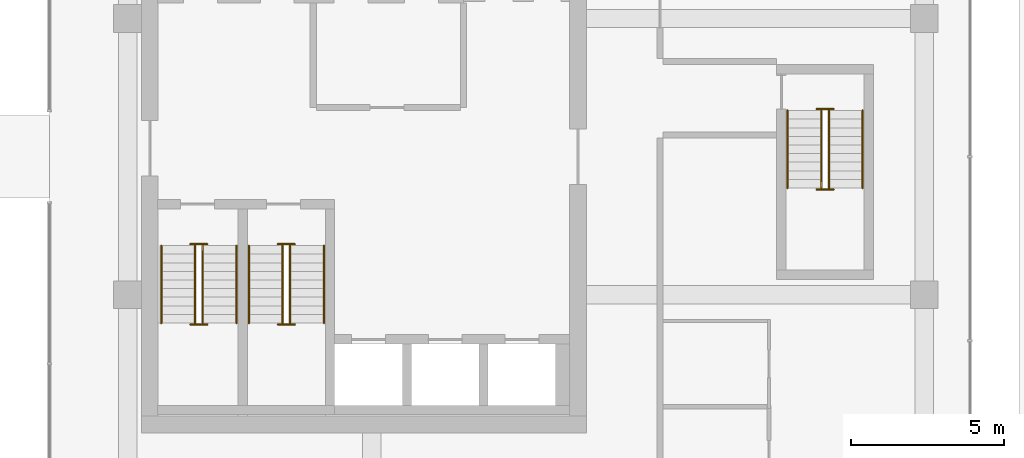
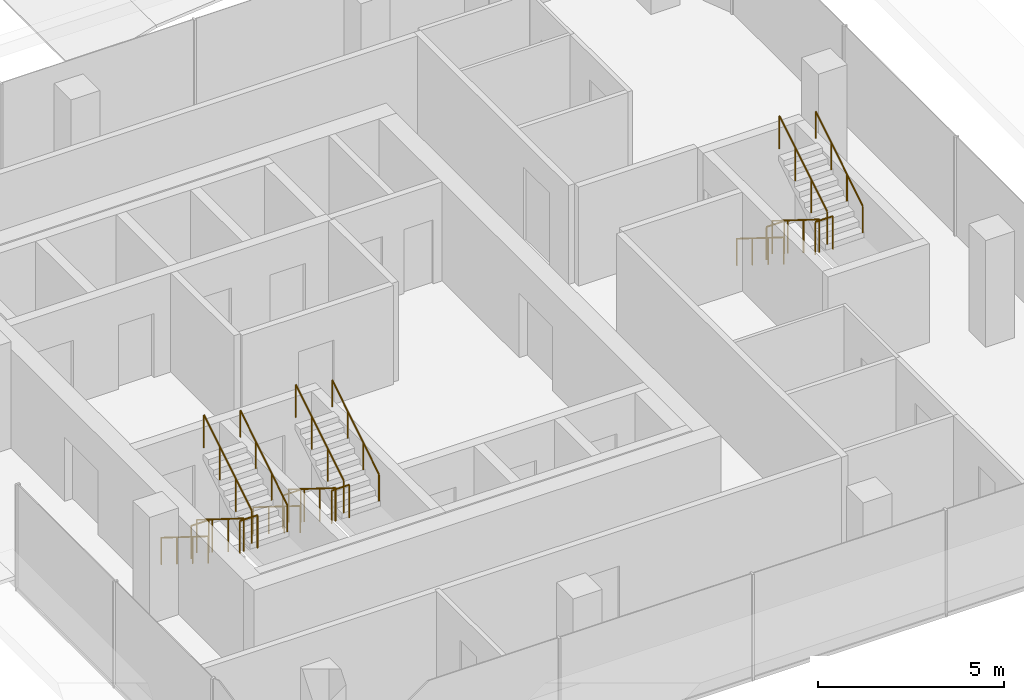
# One storey, part 24 of 24: 18 railings.
"""IFC4 building model written with IfcOpenShell, lengths in metres."""

from ifc_helpers import new_model, si_unit, direction, frame, origin, origin_2d, place, context, subcontext, project, spatial, circle, extrude, material, type_object, element, save


model = new_model("IFC4")

# Units and contexts
model_context = context("Model", 3, precision=1e-05, world=origin(), true_north=direction((0.0, 1.0)))
body_context = subcontext(model_context, "Body", "Model", "MODEL_VIEW")
ifc_project = project(units=[si_unit("LENGTHUNIT", "METRE"), si_unit("AREAUNIT", "SQUARE_METRE"), si_unit("VOLUMEUNIT", "CUBIC_METRE"), si_unit("PLANEANGLEUNIT", "RADIAN"), si_unit("MASSUNIT", "GRAM", prefix="KILO")], contexts=[model_context])

# Site, building, storey
site_placement = place(None, origin())
site = spatial("IfcSite", under=ifc_project, at=site_placement, CompositionType="ELEMENT")
building_placement = place(site_placement, origin())
building = spatial("IfcBuilding", under=site, at=building_placement, Name="Plateau Cross Towers", CompositionType="ELEMENT")
storey_placement = place(building_placement, frame((0.0, 0.0, 30.300048828125)))
storey = spatial("IfcBuildingStorey", under=building, at=storey_placement, Name="L06", CompositionType="ELEMENT", Elevation=30.300048828125)

# Railings
ifc_material_1 = material(Name="Stainless steel and toughened glass", Category="steel")
railing_type_1 = type_object("IfcRailingType", Name="RL-GUARD-1100", PredefinedType="GUARDRAIL", material=ifc_material_1)
railing_1_placement = place(storey_placement, frame((76.75, 6.10009765625, 0.175048828125)))
element("IfcRailing", 1, at=railing_1_placement, inside=storey, type_object=railing_type_1, Name="L06 SB-1 stair guard 1", PredefinedType="GUARDRAIL", context=body_context, shape_type="SweptSolid", body=[
    extrude(circle(Radius=0.02392578125, at=origin_2d()), frame((0.0, 0.0, 1.076171875), z_axis=(0.0, -0.848007534815, 0.529984170421), x_axis=(1.0, 0.0, 0.0)), (0.0, 0.0, 1.0), 2.9716796875),
    extrude(circle(Radius=0.02099609375, at=origin_2d()), origin(), (0.0, 0.0, 1.0), 1.052001953125),
    extrude(circle(Radius=0.02099609375, at=origin_2d()), frame((0.0, -0.840087890625, 0.52490234375)), (0.0, 0.0, 1.0), 1.052001953125),
    extrude(circle(Radius=0.02099609375, at=origin_2d()), frame((0.0, -1.679931640625, 1.050048828125)), (0.0, 0.0, 1.0), 1.052001953125),
    extrude(circle(Radius=0.02099609375, at=origin_2d()), frame((0.0, -2.52001953125, 1.574951171875)), (0.0, 0.0, 1.0), 1.052001953125),
])
railing_2_placement = place(storey_placement, frame((76.60009765625, 3.530029296875, 1.75)))
element("IfcRailing", 2, at=railing_2_placement, inside=storey, type_object=railing_type_1, Name="L06 SB-1 stair guard 2", PredefinedType="GUARDRAIL", context=body_context, shape_type="SweptSolid", body=[
    extrude(circle(Radius=0.02392578125, at=origin_2d()), frame((0.0, 0.0, 1.076171875), z_axis=(1.0, 0.0, 0.0), x_axis=(0.0, 1.0, 0.0)), (0.0, 0.0, 1.0), 0.5498046875),
    extrude(circle(Radius=0.02099609375, at=origin_2d()), origin(), (0.0, 0.0, 1.0), 1.052001953125),
    extrude(circle(Radius=0.02099609375, at=origin_2d()), frame((0.5498046875, 0.0, 0.0)), (0.0, 0.0, 1.0), 1.052001953125),
])
railing_3_placement = place(storey_placement, frame((77.0, 3.580078125, 1.925048828125)))
element("IfcRailing", 3, at=railing_3_placement, inside=storey, type_object=railing_type_1, Name="L06 SB-1 stair guard 3", PredefinedType="GUARDRAIL", context=body_context, shape_type="SweptSolid", body=[
    extrude(circle(Radius=0.02392578125, at=origin_2d()), frame((0.0, 0.0, 1.076171875), z_axis=(0.0, 0.852616386126, 0.522537365276), x_axis=(-1.0, 0.0, 0.0)), (0.0, 0.0, 1.0), 3.01416015625),
    extrude(circle(Radius=0.02099609375, at=origin_2d()), origin(), (0.0, 0.0, 1.0), 1.052001953125),
    extrude(circle(Radius=0.02099609375, at=origin_2d()), frame((0.0, 0.856689453125, 0.52490234375)), (0.0, 0.0, 1.0), 1.052001953125),
    extrude(circle(Radius=0.02099609375, at=origin_2d()), frame((0.0, 1.713134765625, 1.050048828125)), (0.0, 0.0, 1.0), 1.052001953125),
    extrude(circle(Radius=0.02099609375, at=origin_2d()), frame((0.0, 2.56982421875, 1.574951171875)), (0.0, 0.0, 1.0), 1.052001953125),
])
railing_4_placement = place(storey_placement, frame((76.60009765625, 6.14990234375, 0.0)))
element("IfcRailing", 4, at=railing_4_placement, inside=storey, type_object=railing_type_1, Name="L06 SB-1 stair guard 4", PredefinedType="GUARDRAIL", context=body_context, shape_type="SweptSolid", body=[
    extrude(circle(Radius=0.02392578125, at=origin_2d()), frame((0.0, 0.0, 1.076171875), z_axis=(1.0, 0.0, 0.0), x_axis=(0.0, 1.0, 0.0)), (0.0, 0.0, 1.0), 0.5498046875),
    extrude(circle(Radius=0.02099609375, at=origin_2d()), origin(), (0.0, 0.0, 1.0), 1.052001953125),
    extrude(circle(Radius=0.02099609375, at=origin_2d()), frame((0.5498046875, 0.0, 0.0)), (0.0, 0.0, 1.0), 1.052001953125),
])
railing_5_placement = place(storey_placement, frame((79.60009765625, 6.10009765625, 0.175048828125)))
element("IfcRailing", 5, at=railing_5_placement, inside=storey, type_object=railing_type_1, Name="L06 SB-2 stair guard 1", PredefinedType="GUARDRAIL", context=body_context, shape_type="SweptSolid", body=[
    extrude(circle(Radius=0.02392578125, at=origin_2d()), frame((0.0, 0.0, 1.076171875), z_axis=(0.0, -0.848007534815, 0.529984170421), x_axis=(1.0, 0.0, 0.0)), (0.0, 0.0, 1.0), 2.9716796875),
    extrude(circle(Radius=0.02099609375, at=origin_2d()), origin(), (0.0, 0.0, 1.0), 1.052001953125),
    extrude(circle(Radius=0.02099609375, at=origin_2d()), frame((0.0, -0.840087890625, 0.52490234375)), (0.0, 0.0, 1.0), 1.052001953125),
    extrude(circle(Radius=0.02099609375, at=origin_2d()), frame((0.0, -1.679931640625, 1.050048828125)), (0.0, 0.0, 1.0), 1.052001953125),
    extrude(circle(Radius=0.02099609375, at=origin_2d()), frame((0.0, -2.52001953125, 1.574951171875)), (0.0, 0.0, 1.0), 1.052001953125),
])
railing_6_placement = place(storey_placement, frame((79.449951171875, 3.530029296875, 1.75)))
element("IfcRailing", 6, at=railing_6_placement, inside=storey, type_object=railing_type_1, Name="L06 SB-2 stair guard 2", PredefinedType="GUARDRAIL", context=body_context, shape_type="SweptSolid", body=[
    extrude(circle(Radius=0.02392578125, at=origin_2d()), frame((0.0, 0.0, 1.076171875), z_axis=(1.0, 0.0, 0.0), x_axis=(0.0, 1.0, 0.0)), (0.0, 0.0, 1.0), 0.550048828125),
    extrude(circle(Radius=0.02099609375, at=origin_2d()), origin(), (0.0, 0.0, 1.0), 1.052001953125),
    extrude(circle(Radius=0.02099609375, at=origin_2d()), frame((0.550048828125, 0.0, 0.0)), (0.0, 0.0, 1.0), 1.052001953125),
])
railing_7_placement = place(storey_placement, frame((79.85009765625, 3.580078125, 1.925048828125)))
element("IfcRailing", 7, at=railing_7_placement, inside=storey, type_object=railing_type_1, Name="L06 SB-2 stair guard 3", PredefinedType="GUARDRAIL", context=body_context, shape_type="SweptSolid", body=[
    extrude(circle(Radius=0.02392578125, at=origin_2d()), frame((0.0, 0.0, 1.076171875), z_axis=(0.0, 0.852616386126, 0.522537365276), x_axis=(-1.0, 0.0, 0.0)), (0.0, 0.0, 1.0), 3.01416015625),
    extrude(circle(Radius=0.02099609375, at=origin_2d()), origin(), (0.0, 0.0, 1.0), 1.052001953125),
    extrude(circle(Radius=0.02099609375, at=origin_2d()), frame((0.0, 0.856689453125, 0.52490234375)), (0.0, 0.0, 1.0), 1.052001953125),
    extrude(circle(Radius=0.02099609375, at=origin_2d()), frame((0.0, 1.713134765625, 1.050048828125)), (0.0, 0.0, 1.0), 1.052001953125),
    extrude(circle(Radius=0.02099609375, at=origin_2d()), frame((0.0, 2.56982421875, 1.574951171875)), (0.0, 0.0, 1.0), 1.052001953125),
])
railing_8_placement = place(storey_placement, frame((79.449951171875, 6.14990234375, 0.0)))
element("IfcRailing", 8, at=railing_8_placement, inside=storey, type_object=railing_type_1, Name="L06 SB-2 stair guard 4", PredefinedType="GUARDRAIL", context=body_context, shape_type="SweptSolid", body=[
    extrude(circle(Radius=0.02392578125, at=origin_2d()), frame((0.0, 0.0, 1.076171875), z_axis=(1.0, 0.0, 0.0), x_axis=(0.0, 1.0, 0.0)), (0.0, 0.0, 1.0), 0.550048828125),
    extrude(circle(Radius=0.02099609375, at=origin_2d()), origin(), (0.0, 0.0, 1.0), 1.052001953125),
    extrude(circle(Radius=0.02099609375, at=origin_2d()), frame((0.550048828125, 0.0, 0.0)), (0.0, 0.0, 1.0), 1.052001953125),
])
railing_9_placement = place(storey_placement, frame((97.14990234375, 10.5, 0.175048828125)))
element("IfcRailing", 9, at=railing_9_placement, inside=storey, type_object=railing_type_1, Name="L06 SB-3 stair guard 1", PredefinedType="GUARDRAIL", context=body_context, shape_type="SweptSolid", body=[
    extrude(circle(Radius=0.02392578125, at=origin_2d()), frame((0.0, 0.0, 1.076171875), z_axis=(0.0, -0.848007534815, 0.529984170421), x_axis=(1.0, 0.0, 0.0)), (0.0, 0.0, 1.0), 2.9716796875),
    extrude(circle(Radius=0.02099609375, at=origin_2d()), origin(), (0.0, 0.0, 1.0), 1.052001953125),
    extrude(circle(Radius=0.02099609375, at=origin_2d()), frame((0.0, -0.840087890625, 0.52490234375)), (0.0, 0.0, 1.0), 1.052001953125),
    extrude(circle(Radius=0.02099609375, at=origin_2d()), frame((0.0, -1.679931640625, 1.050048828125)), (0.0, 0.0, 1.0), 1.052001953125),
    extrude(circle(Radius=0.02099609375, at=origin_2d()), frame((0.0, -2.52001953125, 1.574951171875)), (0.0, 0.0, 1.0), 1.052001953125),
])
railing_10_placement = place(storey_placement, frame((97.0, 7.929931640625, 1.75)))
element("IfcRailing", 10, at=railing_10_placement, inside=storey, type_object=railing_type_1, Name="L06 SB-3 stair guard 2", PredefinedType="GUARDRAIL", context=body_context, shape_type="SweptSolid", body=[
    extrude(circle(Radius=0.02392578125, at=origin_2d()), frame((0.0, 0.0, 1.076171875), z_axis=(1.0, 0.0, 0.0), x_axis=(0.0, 1.0, 0.0)), (0.0, 0.0, 1.0), 0.550048828125),
    extrude(circle(Radius=0.02099609375, at=origin_2d()), origin(), (0.0, 0.0, 1.0), 1.052001953125),
    extrude(circle(Radius=0.02099609375, at=origin_2d()), frame((0.550048828125, 0.0, 0.0)), (0.0, 0.0, 1.0), 1.052001953125),
])
railing_11_placement = place(storey_placement, frame((97.39990234375, 7.97998046875, 1.925048828125)))
element("IfcRailing", 11, at=railing_11_placement, inside=storey, type_object=railing_type_1, Name="L06 SB-3 stair guard 3", PredefinedType="GUARDRAIL", context=body_context, shape_type="SweptSolid", body=[
    extrude(circle(Radius=0.02392578125, at=origin_2d()), frame((0.0, 0.0, 1.076171875), z_axis=(0.0, 0.852638500773, 0.522501279423), x_axis=(-1.0, 0.0, 0.0)), (0.0, 0.0, 1.0), 3.01416015625),
    extrude(circle(Radius=0.02099609375, at=origin_2d()), origin(), (0.0, 0.0, 1.0), 1.052001953125),
    extrude(circle(Radius=0.02099609375, at=origin_2d()), frame((0.0, 0.856689453125, 0.52490234375)), (0.0, 0.0, 1.0), 1.052001953125),
    extrude(circle(Radius=0.02099609375, at=origin_2d()), frame((0.0, 1.71337890625, 1.050048828125)), (0.0, 0.0, 1.0), 1.052001953125),
    extrude(circle(Radius=0.02099609375, at=origin_2d()), frame((0.0, 2.570068359375, 1.574951171875)), (0.0, 0.0, 1.0), 1.052001953125),
])
railing_12_placement = place(storey_placement, frame((97.0, 10.550048828125, 0.0)))
element("IfcRailing", 12, at=railing_12_placement, inside=storey, type_object=railing_type_1, Name="L06 SB-3 stair guard 4", PredefinedType="GUARDRAIL", context=body_context, shape_type="SweptSolid", body=[
    extrude(circle(Radius=0.02392578125, at=origin_2d()), frame((0.0, 0.0, 1.076171875), z_axis=(1.0, 0.0, 0.0), x_axis=(0.0, 1.0, 0.0)), (0.0, 0.0, 1.0), 0.550048828125),
    extrude(circle(Radius=0.02099609375, at=origin_2d()), origin(), (0.0, 0.0, 1.0), 1.052001953125),
    extrude(circle(Radius=0.02099609375, at=origin_2d()), frame((0.550048828125, 0.0, 0.0)), (0.0, 0.0, 1.0), 1.052001953125),
])
ifc_material_2 = material(Name="Black anodised aluminium", Category="aluminium")
railing_type_2 = type_object("IfcRailingType", Name="RL-HANDRAIL-900", PredefinedType="HANDRAIL", material=ifc_material_2)
railing_13_placement = place(storey_placement, frame((75.64990234375, 6.10009765625, 0.175048828125)))
element("IfcRailing", 13, at=railing_13_placement, inside=storey, type_object=railing_type_2, Name="L06 SB-1 stair handrail 1", PredefinedType="HANDRAIL", context=body_context, shape_type="SweptSolid", body=[
    extrude(circle(Radius=0.02392578125, at=origin_2d()), frame((0.0, 0.0, 0.8759765625), z_axis=(0.0, -0.848007534815, 0.529984170421), x_axis=(1.0, 0.0, 0.0)), (0.0, 0.0, 1.0), 2.9716796875),
    extrude(circle(Radius=0.02099609375, at=origin_2d()), origin(), (0.0, 0.0, 1.0), 0.851806640625),
    extrude(circle(Radius=0.02099609375, at=origin_2d()), frame((0.0, -0.840087890625, 0.52490234375)), (0.0, 0.0, 1.0), 0.851806640625),
    extrude(circle(Radius=0.02099609375, at=origin_2d()), frame((0.0, -1.679931640625, 1.050048828125)), (0.0, 0.0, 1.0), 0.851806640625),
    extrude(circle(Radius=0.02099609375, at=origin_2d()), frame((0.0, -2.52001953125, 1.574951171875)), (0.0, 0.0, 1.0), 0.851806640625),
])
railing_14_placement = place(storey_placement, frame((78.10009765625, 3.580078125, 1.925048828125)))
element("IfcRailing", 14, at=railing_14_placement, inside=storey, type_object=railing_type_2, Name="L06 SB-1 stair handrail 2", PredefinedType="HANDRAIL", context=body_context, shape_type="SweptSolid", body=[
    extrude(circle(Radius=0.02392578125, at=origin_2d()), frame((0.0, 0.0, 0.8759765625), z_axis=(0.0, 0.848007534815, 0.529984170421), x_axis=(-1.0, 0.0, 0.0)), (0.0, 0.0, 1.0), 2.9716796875),
    extrude(circle(Radius=0.02099609375, at=origin_2d()), origin(), (0.0, 0.0, 1.0), 0.851806640625),
    extrude(circle(Radius=0.02099609375, at=origin_2d()), frame((0.0, 0.840087890625, 0.52490234375)), (0.0, 0.0, 1.0), 0.851806640625),
    extrude(circle(Radius=0.02099609375, at=origin_2d()), frame((0.0, 1.679931640625, 1.050048828125)), (0.0, 0.0, 1.0), 0.851806640625),
    extrude(circle(Radius=0.02099609375, at=origin_2d()), frame((0.0, 2.52001953125, 1.574951171875)), (0.0, 0.0, 1.0), 0.851806640625),
])
railing_15_placement = place(storey_placement, frame((78.5, 6.10009765625, 0.175048828125)))
element("IfcRailing", 15, at=railing_15_placement, inside=storey, type_object=railing_type_2, Name="L06 SB-2 stair handrail 1", PredefinedType="HANDRAIL", context=body_context, shape_type="SweptSolid", body=[
    extrude(circle(Radius=0.02392578125, at=origin_2d()), frame((0.0, 0.0, 0.8759765625), z_axis=(0.0, -0.848007534815, 0.529984170421), x_axis=(1.0, 0.0, 0.0)), (0.0, 0.0, 1.0), 2.9716796875),
    extrude(circle(Radius=0.02099609375, at=origin_2d()), origin(), (0.0, 0.0, 1.0), 0.851806640625),
    extrude(circle(Radius=0.02099609375, at=origin_2d()), frame((0.0, -0.840087890625, 0.52490234375)), (0.0, 0.0, 1.0), 0.851806640625),
    extrude(circle(Radius=0.02099609375, at=origin_2d()), frame((0.0, -1.679931640625, 1.050048828125)), (0.0, 0.0, 1.0), 0.851806640625),
    extrude(circle(Radius=0.02099609375, at=origin_2d()), frame((0.0, -2.52001953125, 1.574951171875)), (0.0, 0.0, 1.0), 0.851806640625),
])
railing_16_placement = place(storey_placement, frame((80.949951171875, 3.580078125, 1.925048828125)))
element("IfcRailing", 16, at=railing_16_placement, inside=storey, type_object=railing_type_2, Name="L06 SB-2 stair handrail 2", PredefinedType="HANDRAIL", context=body_context, shape_type="SweptSolid", body=[
    extrude(circle(Radius=0.02392578125, at=origin_2d()), frame((0.0, 0.0, 0.8759765625), z_axis=(0.0, 0.848007534815, 0.529984170421), x_axis=(-1.0, 0.0, 0.0)), (0.0, 0.0, 1.0), 2.9716796875),
    extrude(circle(Radius=0.02099609375, at=origin_2d()), origin(), (0.0, 0.0, 1.0), 0.851806640625),
    extrude(circle(Radius=0.02099609375, at=origin_2d()), frame((0.0, 0.840087890625, 0.52490234375)), (0.0, 0.0, 1.0), 0.851806640625),
    extrude(circle(Radius=0.02099609375, at=origin_2d()), frame((0.0, 1.679931640625, 1.050048828125)), (0.0, 0.0, 1.0), 0.851806640625),
    extrude(circle(Radius=0.02099609375, at=origin_2d()), frame((0.0, 2.52001953125, 1.574951171875)), (0.0, 0.0, 1.0), 0.851806640625),
])
railing_17_placement = place(storey_placement, frame((96.050048828125, 10.5, 0.175048828125)))
element("IfcRailing", 17, at=railing_17_placement, inside=storey, type_object=railing_type_2, Name="L06 SB-3 stair handrail 1", PredefinedType="HANDRAIL", context=body_context, shape_type="SweptSolid", body=[
    extrude(circle(Radius=0.02392578125, at=origin_2d()), frame((0.0, 0.0, 0.8759765625), z_axis=(0.0, -0.848007534815, 0.529984170421), x_axis=(1.0, 0.0, 0.0)), (0.0, 0.0, 1.0), 2.9716796875),
    extrude(circle(Radius=0.02099609375, at=origin_2d()), origin(), (0.0, 0.0, 1.0), 0.851806640625),
    extrude(circle(Radius=0.02099609375, at=origin_2d()), frame((0.0, -0.840087890625, 0.52490234375)), (0.0, 0.0, 1.0), 0.851806640625),
    extrude(circle(Radius=0.02099609375, at=origin_2d()), frame((0.0, -1.679931640625, 1.050048828125)), (0.0, 0.0, 1.0), 0.851806640625),
    extrude(circle(Radius=0.02099609375, at=origin_2d()), frame((0.0, -2.52001953125, 1.574951171875)), (0.0, 0.0, 1.0), 0.851806640625),
])
railing_18_placement = place(storey_placement, frame((98.5, 7.97998046875, 1.925048828125)))
element("IfcRailing", 18, at=railing_18_placement, inside=storey, type_object=railing_type_2, Name="L06 SB-3 stair handrail 2", PredefinedType="HANDRAIL", context=body_context, shape_type="SweptSolid", body=[
    extrude(circle(Radius=0.02392578125, at=origin_2d()), frame((0.0, 0.0, 0.8759765625), z_axis=(0.0, 0.848007534815, 0.529984170421), x_axis=(-1.0, 0.0, 0.0)), (0.0, 0.0, 1.0), 2.9716796875),
    extrude(circle(Radius=0.02099609375, at=origin_2d()), origin(), (0.0, 0.0, 1.0), 0.851806640625),
    extrude(circle(Radius=0.02099609375, at=origin_2d()), frame((0.0, 0.840087890625, 0.52490234375)), (0.0, 0.0, 1.0), 0.851806640625),
    extrude(circle(Radius=0.02099609375, at=origin_2d()), frame((0.0, 1.679931640625, 1.050048828125)), (0.0, 0.0, 1.0), 0.851806640625),
    extrude(circle(Radius=0.02099609375, at=origin_2d()), frame((0.0, 2.52001953125, 1.574951171875)), (0.0, 0.0, 1.0), 0.851806640625),
])

save(model, "model.ifc")
